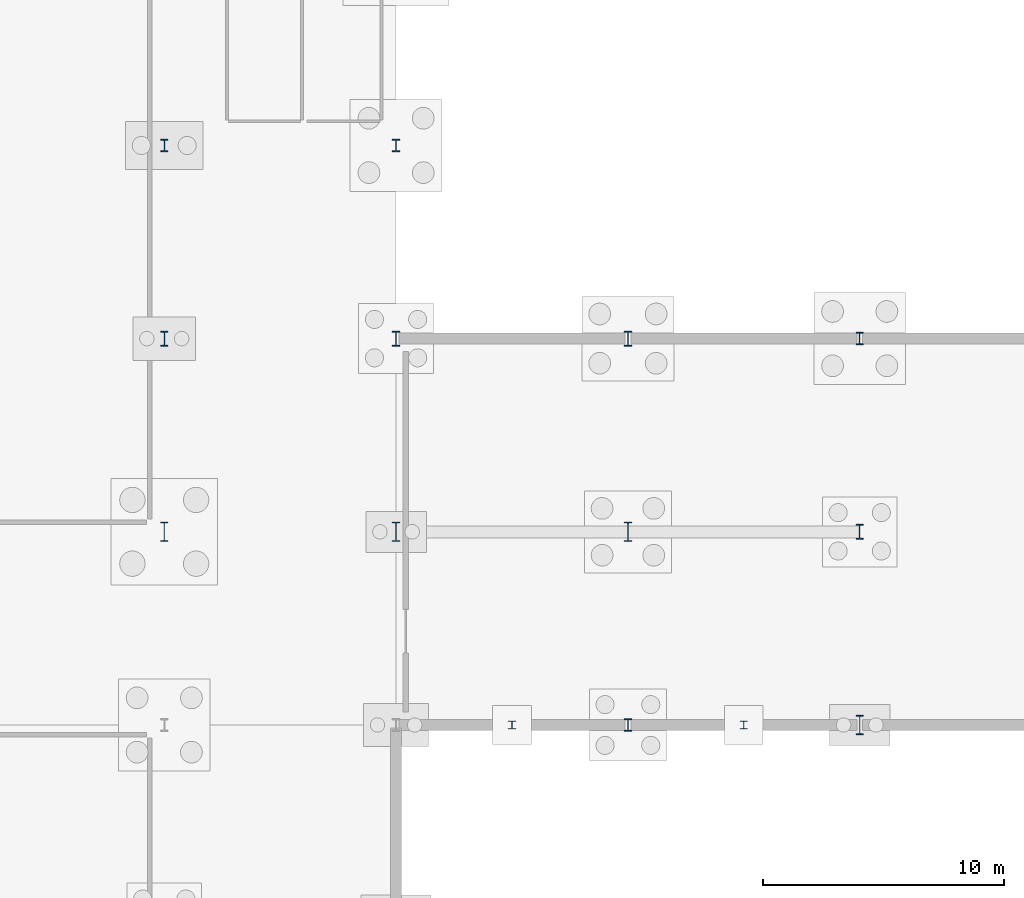
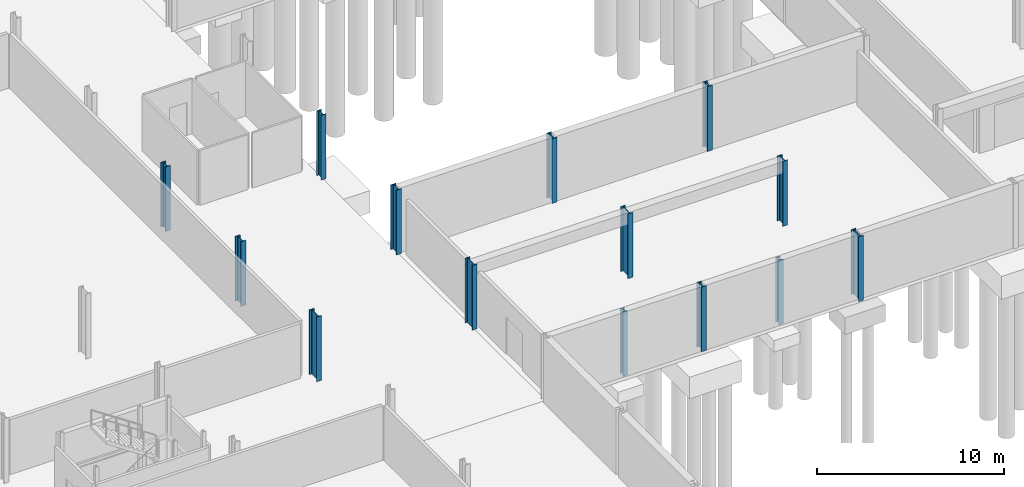
# One storey, part 15 of 47: 14 columns.
"""IFC4 building model written with IfcOpenShell, lengths in metres."""

from ifc_helpers import new_model, si_unit, direction, frame, origin, origin_2d, place, context, subcontext, project, spatial, i_section, extrude, material, material_profile, profile_set, type_object, element, save


model = new_model("IFC4")

# Units and contexts
model_context = context("Model", 3, precision=1e-05, world=origin(), true_north=direction((0.0, 1.0)))
body_context = subcontext(model_context, "Body", "Model", "MODEL_VIEW")
ifc_project = project(units=[si_unit("LENGTHUNIT", "METRE"), si_unit("AREAUNIT", "SQUARE_METRE"), si_unit("VOLUMEUNIT", "CUBIC_METRE"), si_unit("PLANEANGLEUNIT", "RADIAN"), si_unit("MASSUNIT", "GRAM", prefix="KILO")], contexts=[model_context])

# Site, building, storey
site_placement = place(None, origin())
site = spatial("IfcSite", under=ifc_project, at=site_placement, CompositionType="ELEMENT")
building_placement = place(site_placement, origin())
building = spatial("IfcBuilding", under=site, at=building_placement, Name="Alderhovde Museum", CompositionType="ELEMENT")
storey_placement = place(building_placement, frame((0.0, 0.0, -4.5)))
storey = spatial("IfcBuildingStorey", under=building, at=storey_placement, Name="B1", CompositionType="ELEMENT", Elevation=-4.5)

# Columns
ifc_material_1 = material(Name="Steel S355J2", Category="steel")
ifc_material_profile_1 = material_profile(ifc_material_1, i_section(OverallWidth=0.300048828125, OverallDepth=0.800048828125, WebThickness=0.017578125, FlangeThickness=0.032958984375, FilletRadius=0.030029296875, at=origin_2d()), Name="HEB 800")
ifc_profile_set_1 = profile_set([ifc_material_profile_1], Name="Steel S355J2")
column_type_1 = type_object("IfcColumnType", Name="COL-HEB800", PredefinedType="COLUMN", material=ifc_profile_set_1)
for number, where, z_axis, x_axis, name in (
    (1, (105.60009765625, 40.0, 0.0), (0.0, 0.0, 1.0), (1.0, 0.0, 0.0), "B1 Column (105.6, 40.0)"),
    (2, (115.199951171875, 40.0, 0.0), (0.0, 0.0, 1.0), (1.0, 0.0, 0.0), "B1 Column (115.2, 40.0)"),
    (3, (124.800048828125, 40.0, 0.0), (0.0, 0.0, 1.0), (1.0, 0.0, 0.0), "B1 Column (124.8, 40.0)"),
    (4, (134.39990234375, 32.0, 0.0), (0.0, 0.0, 1.0), (1.0, 0.0, 0.0), "B1 Column (134.4, 32.0)"),
):
    element("IfcColumn", number, at=place(storey_placement, frame(where, z_axis=z_axis, x_axis=x_axis)), inside=storey, type_object=column_type_1, Name=name, PredefinedType="COLUMN", context=body_context, shape_type="SweptSolid", body=[
        extrude(i_section(OverallWidth=0.300048828125, OverallDepth=0.800048828125, WebThickness=0.017578125, FlangeThickness=0.032958984375, FilletRadius=0.030029296875, at=origin_2d()), origin(), (0.0, 0.0, 1.0), 4.219970703125),
    ])
ifc_material_2 = material(Name="Steel S355J2", Category="steel")
ifc_material_profile_2 = material_profile(ifc_material_2, i_section(OverallWidth=0.305908203125, OverallDepth=0.52392578125, WebThickness=0.02099609375, FlangeThickness=0.0400390625, FilletRadius=0.027099609375, at=origin_2d()), Name="HEM 500")
ifc_profile_set_2 = profile_set([ifc_material_profile_2], Name="Steel S355J2")
column_type_2 = type_object("IfcColumnType", Name="COL-HEM500", PredefinedType="COLUMN", material=ifc_profile_set_2)
for number, where, z_axis, x_axis, name in (
    (5, (105.60009765625, 56.0, 0.0), (0.0, 0.0, 1.0), (1.0, 0.0, 0.0), "B1 Column (105.6, 56.0)"),
    (6, (115.199951171875, 56.0, 0.0), (0.0, 0.0, 1.0), (1.0, 0.0, 0.0), "B1 Column (115.2, 56.0)"),
    (7, (124.800048828125, 32.0, 0.0), (0.0, 0.0, 1.0), (1.0, 0.0, 0.0), "B1 Column (124.8, 32.0)"),
    (8, (134.39990234375, 48.0, 0.0), (0.0, 0.0, 1.0), (1.0, 0.0, 0.0), "B1 Column (134.4, 48.0)"),
):
    element("IfcColumn", number, at=place(storey_placement, frame(where, z_axis=z_axis, x_axis=x_axis)), inside=storey, type_object=column_type_2, Name=name, PredefinedType="COLUMN", context=body_context, shape_type="SweptSolid", body=[
        extrude(i_section(OverallWidth=0.305908203125, OverallDepth=0.52392578125, WebThickness=0.02099609375, FlangeThickness=0.0400390625, FilletRadius=0.027099609375, at=origin_2d()), origin(), (0.0, 0.0, 1.0), 4.219970703125),
    ])
ifc_material_3 = material(Name="Steel S355J2", Category="steel")
ifc_material_profile_3 = material_profile(ifc_material_3, i_section(OverallWidth=0.304931640625, OverallDepth=0.6201171875, WebThickness=0.02099609375, FlangeThickness=0.0400390625, FilletRadius=0.027099609375, at=origin_2d()), Name="HEM 600")
ifc_profile_set_3 = profile_set([ifc_material_profile_3], Name="Steel S355J2")
column_type_3 = type_object("IfcColumnType", Name="COL-HEM600", PredefinedType="COLUMN", material=ifc_profile_set_3)
for number, where, z_axis, x_axis, name in (
    (9, (105.60009765625, 48.0, 0.0), (0.0, 0.0, 1.0), (1.0, 0.0, 0.0), "B1 Column (105.6, 48.0)"),
    (10, (115.199951171875, 48.0, 0.0), (0.0, 0.0, 1.0), (1.0, 0.0, 0.0), "B1 Column (115.2, 48.0)"),
    (11, (124.800048828125, 48.0, 0.0), (0.0, 0.0, 1.0), (1.0, 0.0, 0.0), "B1 Column (124.8, 48.0)"),
    (12, (134.39990234375, 40.0, 0.0), (0.0, 0.0, 1.0), (1.0, 0.0, 0.0), "B1 Column (134.4, 40.0)"),
):
    element("IfcColumn", number, at=place(storey_placement, frame(where, z_axis=z_axis, x_axis=x_axis)), inside=storey, type_object=column_type_3, Name=name, PredefinedType="COLUMN", context=body_context, shape_type="SweptSolid", body=[
        extrude(i_section(OverallWidth=0.304931640625, OverallDepth=0.6201171875, WebThickness=0.02099609375, FlangeThickness=0.0400390625, FilletRadius=0.027099609375, at=origin_2d()), origin(), (0.0, 0.0, 1.0), 4.219970703125),
    ])
ifc_material_4 = material(Name="Steel S355J2", Category="steel")
ifc_material_profile_4 = material_profile(ifc_material_4, i_section(OverallWidth=0.300048828125, OverallDepth=0.330078125, WebThickness=0.009521484375, FlangeThickness=0.0166015625, FilletRadius=0.027099609375, at=origin_2d()), Name="HEA 340")
ifc_profile_set_4 = profile_set([ifc_material_profile_4], Name="Steel S355J2")
column_type_4 = type_object("IfcColumnType", Name="PIL-HEA340", PredefinedType="PILASTER", material=ifc_profile_set_4)
for number, where, z_axis, x_axis, name in (
    (13, (120.0, 32.0, 0.0), (0.0, 0.0, 1.0), (1.0, 0.0, 0.0), "B1 Structural Pilaster (120.0, 32.0)"),
    (14, (129.60009765625, 32.0, 0.0), (0.0, 0.0, 1.0), (1.0, 0.0, 0.0), "B1 Structural Pilaster (129.6, 32.0)"),
):
    element("IfcColumn", number, at=place(storey_placement, frame(where, z_axis=z_axis, x_axis=x_axis)), inside=storey, type_object=column_type_4, Name=name, PredefinedType="PILASTER", context=body_context, shape_type="SweptSolid", body=[
        extrude(i_section(OverallWidth=0.300048828125, OverallDepth=0.330078125, WebThickness=0.009521484375, FlangeThickness=0.0166015625, FilletRadius=0.027099609375, at=origin_2d()), origin(), (0.0, 0.0, 1.0), 4.219970703125),
    ])

save(model, "model.ifc")
